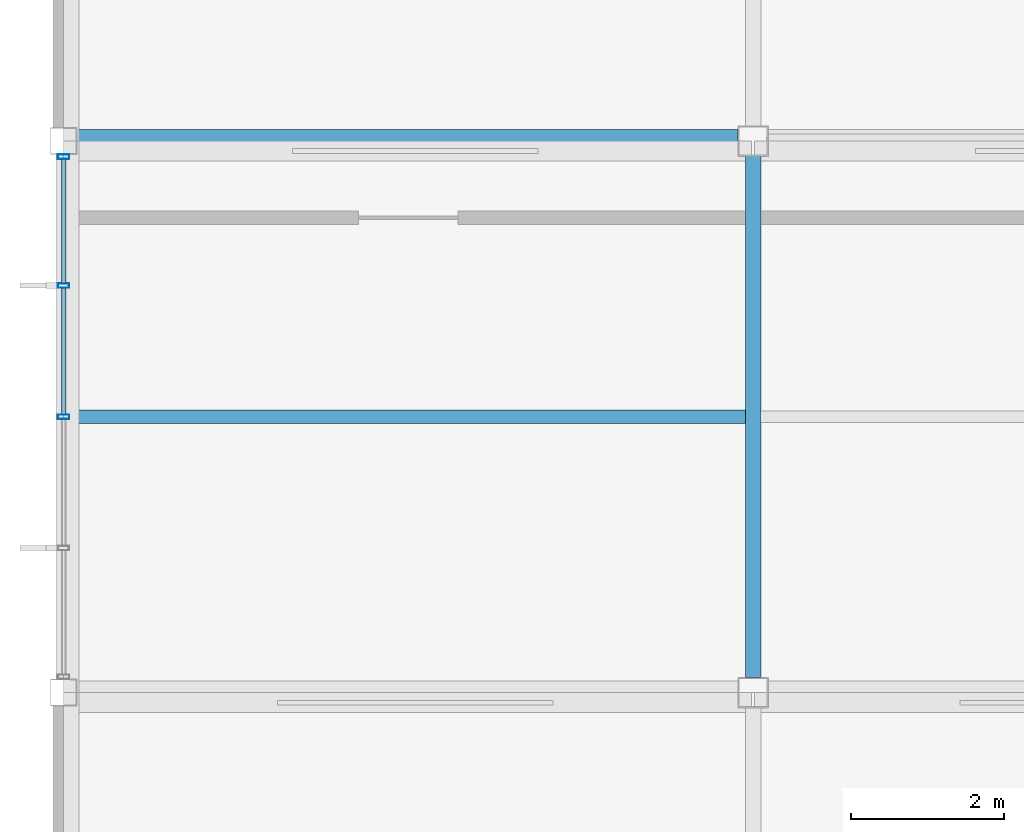
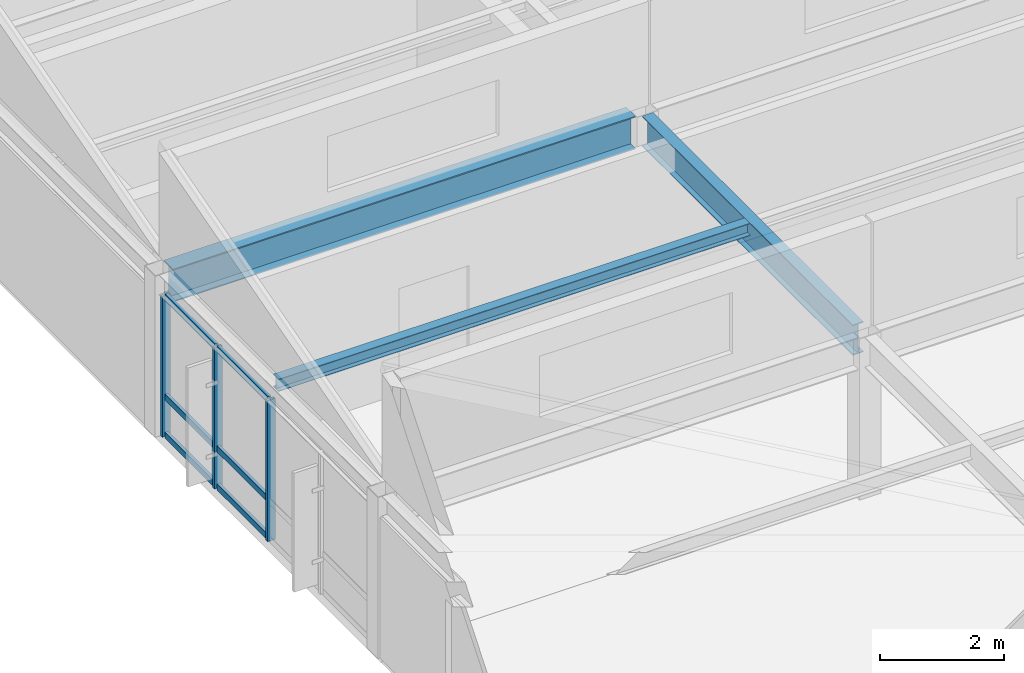
# One storey, part 10 of 43: 9 members, 3 beams, 1 element without a shape of its own.
"""IFC4 building model written with IfcOpenShell, lengths in metres."""

from ifc_helpers import new_model, si_unit, direction, frame, origin, origin_2d, place, context, subcontext, project, spatial, hollow_rectangle, i_section, extrude, material, material_profile, profile_set, type_object, element, aggregate, save


model = new_model("IFC4")

# Units and contexts
model_context = context("Model", 3, precision=1e-05, world=origin(), true_north=direction((0.0, 1.0)))
body_context = subcontext(model_context, "Body", "Model", "MODEL_VIEW")
ifc_project = project(units=[si_unit("LENGTHUNIT", "METRE"), si_unit("AREAUNIT", "SQUARE_METRE"), si_unit("VOLUMEUNIT", "CUBIC_METRE"), si_unit("PLANEANGLEUNIT", "RADIAN"), si_unit("MASSUNIT", "GRAM", prefix="KILO")], contexts=[model_context])

# Site, building, storey
site_placement = place(None, origin())
site = spatial("IfcSite", under=ifc_project, at=site_placement, CompositionType="ELEMENT")
building_placement = place(site_placement, origin())
building = spatial("IfcBuilding", under=site, at=building_placement, Name="Kazanami Central Library", CompositionType="ELEMENT")
storey_placement = place(building_placement, frame((0.0, 0.0, 20.60009765625)))
storey = spatial("IfcBuildingStorey", under=building, at=storey_placement, Name="L06", CompositionType="ELEMENT", Elevation=20.60009765625)

# Beams
ifc_material_1 = material(Name="Steel SN400B (235 MPa)", Category="steel")
ifc_material_profile_1 = material_profile(ifc_material_1, i_section(OverallWidth=0.175048828125, OverallDepth=0.243896484375, WebThickness=0.007080078125, FlangeThickness=0.010986328125, at=origin_2d()), Name="H-244x175x7x11")
ifc_profile_set_1 = profile_set([ifc_material_profile_1], Name="Steel SN400B (235 MPa)")
beam_type_1 = type_object("IfcBeamType", Name="BM-B-S6", PredefinedType="JOIST", material=ifc_profile_set_1)
beam_1_placement = place(storey_placement, frame((0.097900390625, 75.60009765625, 3.057861328125), z_axis=(1.0, 0.0, 0.0), x_axis=(0.0, 1.0, 0.0)))
element("IfcBeam", 1, at=beam_1_placement, inside=storey, type_object=beam_type_1, Name="Composite Secondary Joist B-S6 L06 Bay 1/L.1", PredefinedType="JOIST", context=body_context, shape_type="SweptSolid", body=[
    extrude(i_section(OverallWidth=0.175048828125, OverallDepth=0.243896484375, WebThickness=0.007080078125, FlangeThickness=0.010986328125, at=origin_2d()), origin(), (0.0, 0.0, 1.0), 8.80419921875),
])
ifc_material_2 = material(Name="Steel SN490B (325 MPa)", Category="steel")
ifc_material_profile_2 = material_profile(ifc_material_2, i_section(OverallWidth=0.300048828125, OverallDepth=0.64990234375, WebThickness=0.012939453125, FlangeThickness=0.02099609375, at=origin_2d()), Name="H-650x300x13x21")
ifc_profile_set_2 = profile_set([ifc_material_profile_2], Name="Steel SN490B (325 MPa)")
beam_type_2 = type_object("IfcBeamType", Name="BM-G-TR", PredefinedType="BEAM", material=ifc_profile_set_2)
beam_2_placement = place(storey_placement, frame((0.173095703125, 79.199951171875, 2.85498046875), z_axis=(1.0, 0.0, 0.0), x_axis=(0.0, 1.0, 0.0)))
element("IfcBeam", 2, at=beam_2_placement, inside=storey, type_object=beam_type_2, Name="Girder G-TR L06 M/1-2", PredefinedType="BEAM", context=body_context, shape_type="SweptSolid", body=[
    extrude(i_section(OverallWidth=0.300048828125, OverallDepth=0.64990234375, WebThickness=0.012939453125, FlangeThickness=0.02099609375, at=origin_2d()), origin(), (0.0, 0.0, 1.0), 8.62890625),
])
ifc_material_profile_3 = material_profile(ifc_material_2, i_section(OverallWidth=0.199951171875, OverallDepth=0.60009765625, WebThickness=0.010986328125, FlangeThickness=0.01708984375, at=origin_2d()), Name="H-600x200x11x17")
ifc_profile_set_3 = profile_set([ifc_material_profile_3], Name="Steel SN490B (325 MPa)")
beam_type_3 = type_object("IfcBeamType", Name="BM-G-Y1", PredefinedType="BEAM", material=ifc_profile_set_3)
beam_3_placement = place(storey_placement, frame((9.0, 72.197998046875, 2.8798828125), z_axis=(0.0, 1.0, 0.0), x_axis=(-1.0, 0.0, 0.0)))
element("IfcBeam", 3, at=beam_3_placement, inside=storey, type_object=beam_type_3, Name="Girder G-Y1 L06 2/L-M", PredefinedType="BEAM", context=body_context, shape_type="SweptSolid", body=[
    extrude(i_section(OverallWidth=0.199951171875, OverallDepth=0.60009765625, WebThickness=0.010986328125, FlangeThickness=0.01708984375, at=origin_2d()), origin(), (0.0, 0.0, 1.0), 6.803955078125),
])

# Curtain wall, members
ifc_material_3 = material(Name="Acid-Etched Low-E Laminated Glass", Category="glass")
curtain_wall_type = type_object("IfcCurtainWallType", Name="CW-6850x2780-M180", PredefinedType="USERDEFINED", material=ifc_material_3)
curtain_wall_placement = place(storey_placement, origin())
curtain_wall = element("IfcCurtainWall", 4, at=curtain_wall_placement, inside=storey, type_object=curtain_wall_type, Name="Unitised Curtain Wall CW-58 L06 W-1-10", ObjectType="UNITISED CURTAIN WALL", PredefinedType="USERDEFINED")
ifc_material_4 = material(Name="Anodised Aluminium A6063-T5", Category="aluminium")
ifc_material_profile_4 = material_profile(ifc_material_4, hollow_rectangle(XDim=0.06005859375, YDim=0.14990234375, WallThickness=0.00390625, at=origin_2d()), Name="ALU-MULL-60x150x4")
ifc_profile_set_4 = profile_set([ifc_material_profile_4], Name="Anodised Aluminium A6063-T5")
member_type_1 = type_object("IfcMemberType", Name="MEM-CW-M3", PredefinedType="MULLION", material=ifc_profile_set_4)
member_1_placement = place(storey_placement, frame((0.0, 75.60009765625, 0.0), z_axis=(0.0, 0.0, 1.0), x_axis=(0.0, 1.0, 0.0)))
member_1 = element("IfcMember", 5, at=member_1_placement, type_object=member_type_1, Name="CW-58 mullion 3", PredefinedType="MULLION", context=body_context, shape_type="SweptSolid", body=[
    extrude(hollow_rectangle(XDim=0.06005859375, YDim=0.14990234375, WallThickness=0.00390625, at=origin_2d()), origin(), (0.0, 0.0, 1.0), 2.77978515625),
])
member_2_placement = place(storey_placement, frame((0.0, 77.3125, 0.0), z_axis=(0.0, 0.0, 1.0), x_axis=(0.0, 1.0, 0.0)))
member_2 = element("IfcMember", 6, at=member_2_placement, type_object=member_type_1, Name="CW-58 mullion 4", PredefinedType="MULLION", context=body_context, shape_type="SweptSolid", body=[
    extrude(hollow_rectangle(XDim=0.06005859375, YDim=0.14990234375, WallThickness=0.00390625, at=origin_2d()), origin(), (0.0, 0.0, 1.0), 2.77978515625),
])
member_3_placement = place(storey_placement, frame((0.0, 78.9951171875, 0.0), z_axis=(0.0, 0.0, 1.0), x_axis=(0.0, 1.0, 0.0)))
member_3 = element("IfcMember", 7, at=member_3_placement, type_object=member_type_1, Name="CW-58 mullion 5", PredefinedType="MULLION", context=body_context, shape_type="SweptSolid", body=[
    extrude(hollow_rectangle(XDim=0.06005859375, YDim=0.14990234375, WallThickness=0.00390625, at=origin_2d()), origin(), (0.0, 0.0, 1.0), 2.77978515625),
])
ifc_material_profile_5 = material_profile(ifc_material_4, hollow_rectangle(XDim=0.06005859375, YDim=0.1201171875, WallThickness=0.00341796875, at=origin_2d()), Name="ALU-TRAN-60x120x3.5")
ifc_profile_set_5 = profile_set([ifc_material_profile_5], Name="Anodised Aluminium A6063-T5")
member_type_2 = type_object("IfcMemberType", Name="MEM-CW-T3", PredefinedType="USERDEFINED", material=ifc_profile_set_5)
member_4_placement = place(storey_placement, frame((0.0, 75.6298828125, 0.02978515625), z_axis=(0.0, 1.0, 0.0), x_axis=(-1.0, 0.0, 0.0)))
member_4 = element("IfcMember", 8, at=member_4_placement, type_object=member_type_2, Name="CW-58 transom 3.1", ObjectType="TRANSOM", PredefinedType="USERDEFINED", context=body_context, shape_type="SweptSolid", body=[
    extrude(hollow_rectangle(XDim=0.06005859375, YDim=0.1201171875, WallThickness=0.00341796875, at=origin_2d()), origin(), (0.0, 0.0, 1.0), 1.652587890625),
])
member_5_placement = place(storey_placement, frame((0.0, 75.6298828125, 0.77978515625), z_axis=(0.0, 1.0, 0.0), x_axis=(-1.0, 0.0, 0.0)))
member_5 = element("IfcMember", 9, at=member_5_placement, type_object=member_type_2, Name="CW-58 transom 3.2", ObjectType="TRANSOM", PredefinedType="USERDEFINED", context=body_context, shape_type="SweptSolid", body=[
    extrude(hollow_rectangle(XDim=0.06005859375, YDim=0.1201171875, WallThickness=0.00341796875, at=origin_2d()), origin(), (0.0, 0.0, 1.0), 1.652587890625),
])
member_6_placement = place(storey_placement, frame((0.0, 75.6298828125, 2.75), z_axis=(0.0, 1.0, 0.0), x_axis=(-1.0, 0.0, 0.0)))
member_6 = element("IfcMember", 10, at=member_6_placement, type_object=member_type_2, Name="CW-58 transom 3.3", ObjectType="TRANSOM", PredefinedType="USERDEFINED", context=body_context, shape_type="SweptSolid", body=[
    extrude(hollow_rectangle(XDim=0.06005859375, YDim=0.1201171875, WallThickness=0.00341796875, at=origin_2d()), origin(), (0.0, 0.0, 1.0), 1.652587890625),
])
member_7_placement = place(storey_placement, frame((0.0, 77.342529296875, 0.02978515625), z_axis=(0.0, 1.0, 0.0), x_axis=(-1.0, 0.0, 0.0)))
member_7 = element("IfcMember", 11, at=member_7_placement, type_object=member_type_2, Name="CW-58 transom 4.1", ObjectType="TRANSOM", PredefinedType="USERDEFINED", context=body_context, shape_type="SweptSolid", body=[
    extrude(hollow_rectangle(XDim=0.06005859375, YDim=0.1201171875, WallThickness=0.00341796875, at=origin_2d()), origin(), (0.0, 0.0, 1.0), 1.62255859375),
])
member_8_placement = place(storey_placement, frame((0.0, 77.342529296875, 0.77978515625), z_axis=(0.0, 1.0, 0.0), x_axis=(-1.0, 0.0, 0.0)))
member_8 = element("IfcMember", 12, at=member_8_placement, type_object=member_type_2, Name="CW-58 transom 4.2", ObjectType="TRANSOM", PredefinedType="USERDEFINED", context=body_context, shape_type="SweptSolid", body=[
    extrude(hollow_rectangle(XDim=0.06005859375, YDim=0.1201171875, WallThickness=0.00341796875, at=origin_2d()), origin(), (0.0, 0.0, 1.0), 1.62255859375),
])
member_9_placement = place(storey_placement, frame((0.0, 77.342529296875, 2.75), z_axis=(0.0, 1.0, 0.0), x_axis=(-1.0, 0.0, 0.0)))
member_9 = element("IfcMember", 13, at=member_9_placement, type_object=member_type_2, Name="CW-58 transom 4.3", ObjectType="TRANSOM", PredefinedType="USERDEFINED", context=body_context, shape_type="SweptSolid", body=[
    extrude(hollow_rectangle(XDim=0.06005859375, YDim=0.1201171875, WallThickness=0.00341796875, at=origin_2d()), origin(), (0.0, 0.0, 1.0), 1.62255859375),
])
aggregate(curtain_wall, [member_1, member_2, member_3, member_4, member_5, member_6, member_7, member_8, member_9])

save(model, "model.ifc")
